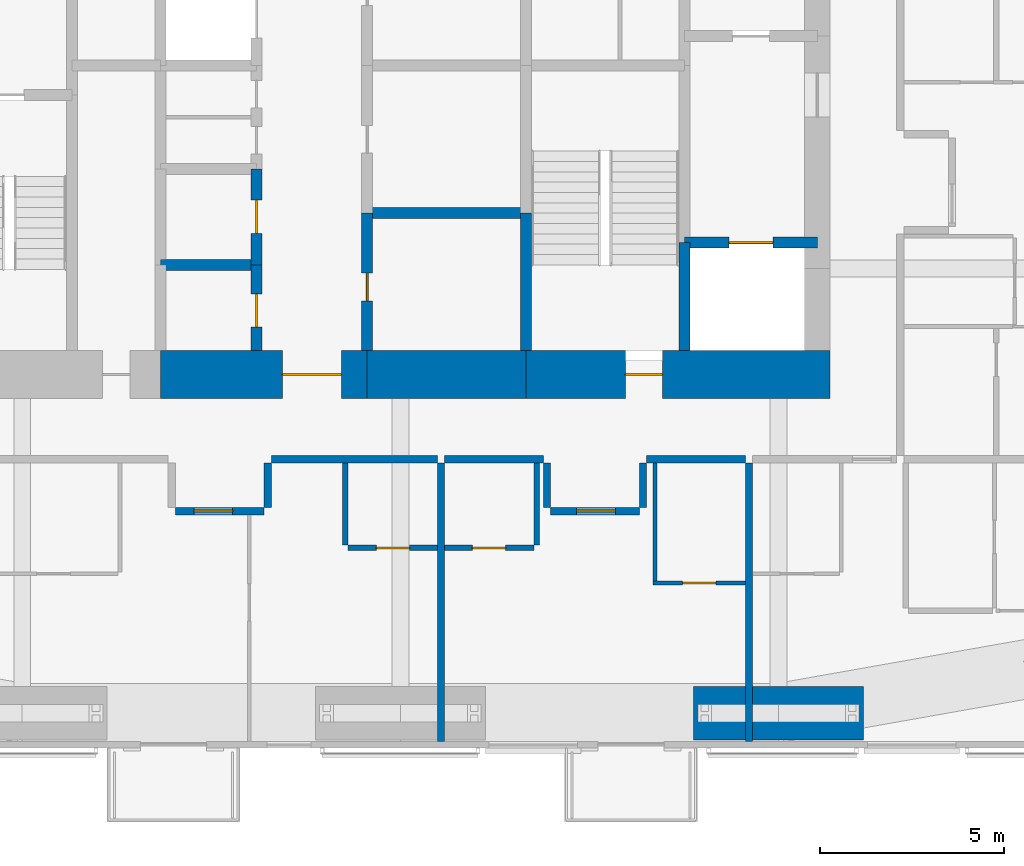
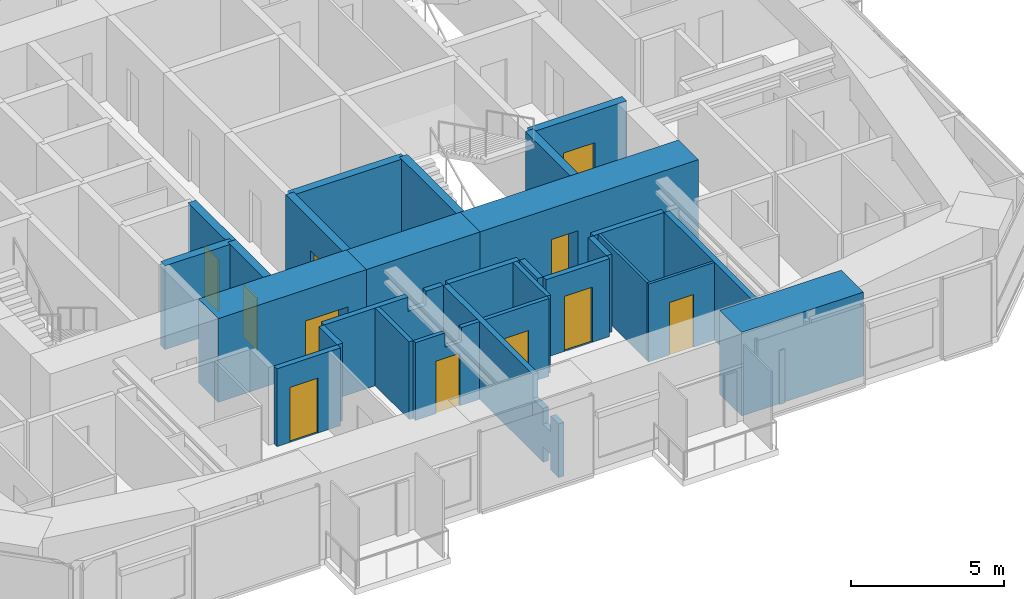
# One storey, part 16 of 23: 28 walls, 11 doors, 11 openings.
"""IFC4 building model written with IfcOpenShell, lengths in metres."""

from ifc_helpers import new_model, si_unit, direction, frame, frame_2d, origin, place, context, subcontext, project, spatial, polyline, rectangle, outline, extrude, material, layer, layer_set, constituent, constituent_set, type_object, element, fill, save


model = new_model("IFC4")

# Units and contexts
model_context = context("Model", 3, precision=1e-05, world=origin(), true_north=direction((0.0, 1.0)))
body_context = subcontext(model_context, "Body", "Model", "MODEL_VIEW")
ifc_project = project(units=[si_unit("LENGTHUNIT", "METRE"), si_unit("AREAUNIT", "SQUARE_METRE"), si_unit("VOLUMEUNIT", "CUBIC_METRE"), si_unit("PLANEANGLEUNIT", "RADIAN"), si_unit("MASSUNIT", "GRAM", prefix="KILO")], contexts=[model_context])

# Site, building, storey
site_placement = place(None, origin())
site = spatial("IfcSite", under=ifc_project, at=site_placement, CompositionType="ELEMENT")
building_placement = place(site_placement, origin())
building = spatial("IfcBuilding", under=site, at=building_placement, Name="Jalousie Tower", CompositionType="ELEMENT")
storey_placement = place(building_placement, frame((0.0, 0.0, 167.75)))
storey = spatial("IfcBuildingStorey", under=building, at=storey_placement, Name="L45", CompositionType="ELEMENT", Elevation=167.75)

# Wall, opening, door
ifc_material_1 = material(Name="Concrete block ASTM C90", Category="concrete")
ifc_constituent_1 = constituent(ifc_material_1, Name="Body")
ifc_material_2 = material(Name="Render")
ifc_constituent_2 = constituent(ifc_material_2, Name="Finish")
ifc_constituent_set_1 = constituent_set(constituents=[ifc_constituent_1, ifc_constituent_2])
wall_type_1 = type_object("IfcWallType", Name="BATHROOM WALL 150", PredefinedType="PLUMBINGWALL", material=ifc_constituent_set_1)
wall_1_placement = place(storey_placement, frame((31.074951171875, 5.425048828125, 0.0), z_axis=(0.0, 0.0, 1.0), x_axis=(1.0, 0.0, 0.0)))
wall_1 = element("IfcWall", 1, at=wall_1_placement, inside=storey, type_object=wall_type_1, Name="Bathroom Wall 150 L45", PredefinedType="PLUMBINGWALL", context=body_context, shape_type="SweptSolid", body=[
    extrude(outline(polyline([(0.0, 0.0), (2.425048828125, 0.0), (2.425048828125, 3.110107421875), (1.7373046875, 3.110107421875), (1.7373046875, 2.541015625), (1.112548828125, 2.541015625), (1.112548828125, 3.110107421875), (0.0, 3.110107421875), (0.0, 0.0)])), frame((0.0, 0.074951171875, 0.0), z_axis=(0.0, -1.0, 0.0), x_axis=(1.0, 0.0, 0.0)), (0.0, 0.0, 1.0), 0.14990234375),
])
opening_1_placement = place(wall_1_placement, frame((0.77490234375, 0.0, 0.0)))
opening_1 = element("IfcOpeningElement", 2, at=opening_1_placement, cuts=wall_1, Name="Opening D3", PredefinedType="OPENING", context=body_context, shape_type="SweptSolid", body=[
    extrude(rectangle(XDim=0.89990234375, YDim=2.10009765625, at=frame_2d((0.449951171875, 1.050048828125))), frame((0.0, 0.0849609375, 0.0), z_axis=(0.0, -1.0, 0.0), x_axis=(1.0, 0.0, 0.0)), (0.0, 0.0, 1.0), 0.169921875),
])
ifc_material_3 = material(Name="Timber door", Category="wood")
door_type_1 = type_object("IfcDoorType", Name="BATHROOM DOOR 900", OperationType="SINGLE_SWING_LEFT", PredefinedType="DOOR", material=ifc_material_3)
door_1_placement = place(opening_1_placement, origin())
door_1 = element("IfcDoor", 3, at=door_1_placement, inside=storey, type_object=door_type_1, Name="Apartment 4502 bathroom door", OperationType="SINGLE_SWING_RIGHT", OverallHeight=2.10009765625, OverallWidth=0.89990234375, PredefinedType="DOOR", context=body_context, shape_type="SweptSolid", body=[
    extrude(rectangle(XDim=0.89990234375, YDim=2.10009765625, at=frame_2d((0.449951171875, 1.050048828125))), frame((0.0, 0.02490234375, 0.0), z_axis=(0.0, -1.0, 0.0), x_axis=(1.0, 0.0, 0.0)), (0.0, 0.0, 1.0), 0.050048828125),
])
fill(opening_1, door_1)

# Wall
wall_2_placement = place(storey_placement, frame((31.0, 5.5, 0.0), z_axis=(0.0, 0.0, 1.0), x_axis=(0.0, 1.0, 0.0)))
element("IfcWall", 4, at=wall_2_placement, inside=storey, type_object=wall_type_1, Name="Bathroom Wall 150 L45", PredefinedType="PLUMBINGWALL", context=body_context, shape_type="SweptSolid", body=[
    extrude(rectangle(XDim=2.22509765625, YDim=0.14990234375, at=frame_2d((1.112548828125, 0.0))), origin(), (0.0, 0.0, 1.0), 3.110107421875),
])

# Wall, opening, door
wall_3_placement = place(storey_placement, frame((33.699951171875, 5.425048828125, 0.0), z_axis=(0.0, 0.0, 1.0), x_axis=(1.0, 0.0, 0.0)))
wall_3 = element("IfcWall", 5, at=wall_3_placement, inside=storey, type_object=wall_type_1, Name="Bathroom Wall 150 L45", PredefinedType="PLUMBINGWALL", context=body_context, shape_type="SweptSolid", body=[
    extrude(rectangle(XDim=2.425048828125, YDim=0.14990234375, at=frame_2d((1.21240234375, 0.0))), origin(), (0.0, 0.0, 1.0), 3.110107421875),
])
opening_2_placement = place(wall_3_placement, frame((0.75, 0.0, 0.0)))
opening_2 = element("IfcOpeningElement", 6, at=opening_2_placement, cuts=wall_3, Name="Opening D3", PredefinedType="OPENING", context=body_context, shape_type="SweptSolid", body=[
    extrude(rectangle(XDim=0.89990234375, YDim=2.10009765625, at=frame_2d((0.449951171875, 1.050048828125))), frame((0.0, 0.0849609375, 0.0), z_axis=(0.0, -1.0, 0.0), x_axis=(1.0, 0.0, 0.0)), (0.0, 0.0, 1.0), 0.169921875),
])
door_2_placement = place(opening_2_placement, origin())
door_2 = element("IfcDoor", 7, at=door_2_placement, inside=storey, type_object=door_type_1, Name="Apartment 4503 bathroom door", OperationType="SINGLE_SWING_LEFT", OverallHeight=2.10009765625, OverallWidth=0.89990234375, PredefinedType="DOOR", context=body_context, shape_type="SweptSolid", body=[
    extrude(rectangle(XDim=0.89990234375, YDim=2.10009765625, at=frame_2d((0.449951171875, 1.050048828125))), frame((0.0, 0.02490234375, 0.0), z_axis=(0.0, -1.0, 0.0), x_axis=(1.0, 0.0, 0.0)), (0.0, 0.0, 1.0), 0.050048828125),
])
fill(opening_2, door_2)

# Wall
wall_4_placement = place(storey_placement, frame((36.199951171875, 5.5, 0.0), z_axis=(0.0, 0.0, 1.0), x_axis=(0.0, 1.0, 0.0)))
element("IfcWall", 8, at=wall_4_placement, inside=storey, type_object=wall_type_1, Name="Bathroom Wall 150 L45", PredefinedType="PLUMBINGWALL", context=body_context, shape_type="SweptSolid", body=[
    extrude(rectangle(XDim=2.22509765625, YDim=0.14990234375, at=frame_2d((1.112548828125, 0.0))), origin(), (0.0, 0.0, 1.0), 3.110107421875),
])

# Wall, opening, door
ifc_material_4 = material(Name="Concrete f'c 120 MPa", Category="concrete")
ifc_layer_1 = layer(ifc_material_4, 1.300048828125)
ifc_layer_set_1 = layer_set([ifc_layer_1], Name="Concrete f'c 120 MPa")
wall_type_2 = type_object("IfcWallType", Name="CORE WALL 1300", PredefinedType="SHEAR", material=ifc_layer_set_1)
wall_5_placement = place(storey_placement, frame((26.0, 10.125, 0.0), z_axis=(0.0, 0.0, 1.0), x_axis=(1.0, 0.0, 0.0)))
wall_5 = element("IfcWall", 9, at=wall_5_placement, inside=storey, type_object=wall_type_2, Name="Core wall SB L45", PredefinedType="SHEAR", context=body_context, shape_type="SweptSolid", body=[
    extrude(rectangle(XDim=5.60009765625, YDim=1.300048828125, at=frame_2d((2.800048828125, 0.0))), origin(), (0.0, 0.0, 1.0), 3.35009765625),
])
opening_3_placement = place(wall_5_placement, frame((3.300048828125, 0.0, 0.0)))
opening_3 = element("IfcOpeningElement", 10, at=opening_3_placement, cuts=wall_5, Name="Opening D15", PredefinedType="OPENING", context=body_context, shape_type="SweptSolid", body=[
    extrude(rectangle(XDim=1.60009765625, YDim=2.10009765625, at=frame_2d((0.800048828125, 1.050048828125))), frame((0.0, 0.659912109375, 0.0), z_axis=(0.0, -1.0, 0.0), x_axis=(1.0, 0.0, 0.0)), (0.0, 0.0, 1.0), 1.320068359375),
])
ifc_material_5 = material(Name="Steel fire door", Category="steel")
door_type_2 = type_object("IfcDoorType", Name="LIFT LOBBY DOOR 1600", OperationType="DOUBLE_DOOR_SINGLE_SWING", PredefinedType="DOOR", material=ifc_material_5)
door_3_placement = place(opening_3_placement, origin())
door_3 = element("IfcDoor", 11, at=door_3_placement, inside=storey, type_object=door_type_2, Name="Lift lobby south door", OperationType="DOUBLE_DOOR_SINGLE_SWING", OverallHeight=2.10009765625, OverallWidth=1.60009765625, PredefinedType="DOOR", context=body_context, shape_type="SweptSolid", body=[
    extrude(rectangle(XDim=1.60009765625, YDim=2.10009765625, at=frame_2d((0.800048828125, 1.050048828125))), frame((0.0, 0.02490234375, 0.0), z_axis=(0.0, -1.0, 0.0), x_axis=(1.0, 0.0, 0.0)), (0.0, 0.0, 1.0), 0.050048828125),
])
fill(opening_3, door_3)

# Wall
wall_6_placement = place(storey_placement, frame((31.60009765625, 10.125, 0.0), z_axis=(0.0, 0.0, 1.0), x_axis=(1.0, 0.0, 0.0)))
element("IfcWall", 12, at=wall_6_placement, inside=storey, type_object=wall_type_2, Name="Core wall SC L45", PredefinedType="SHEAR", context=body_context, shape_type="SweptSolid", body=[
    extrude(rectangle(XDim=4.2998046875, YDim=1.300048828125, at=frame_2d((2.14990234375, 0.0))), origin(), (0.0, 0.0, 1.0), 3.35009765625),
])

# Wall, opening, door
wall_7_placement = place(storey_placement, frame((35.89990234375, 10.125, 0.0), z_axis=(0.0, 0.0, 1.0), x_axis=(1.0, 0.0, 0.0)))
wall_7 = element("IfcWall", 13, at=wall_7_placement, inside=storey, type_object=wall_type_2, Name="Core wall SD L45", PredefinedType="SHEAR", context=body_context, shape_type="SweptSolid", body=[
    extrude(rectangle(XDim=8.25, YDim=1.300048828125, at=frame_2d((4.125, 0.0))), origin(), (0.0, 0.0, 1.0), 3.35009765625),
])
opening_4_placement = place(wall_7_placement, frame((2.699951171875, 0.0, 0.0)))
opening_4 = element("IfcOpeningElement", 14, at=opening_4_placement, cuts=wall_7, Name="Opening D10", PredefinedType="OPENING", context=body_context, shape_type="SweptSolid", body=[
    extrude(rectangle(XDim=1.0, YDim=2.10009765625, at=frame_2d((0.5, 1.050048828125))), frame((0.0, 0.659912109375, 0.0), z_axis=(0.0, -1.0, 0.0), x_axis=(1.0, 0.0, 0.0)), (0.0, 0.0, 1.0), 1.320068359375),
])
ifc_material_6 = material(Name="Steel fire door", Category="steel")
door_type_3 = type_object("IfcDoorType", Name="STAIR DOOR 1000", OperationType="SINGLE_SWING_LEFT", PredefinedType="DOOR", material=ifc_material_6)
door_4_placement = place(opening_4_placement, origin())
door_4 = element("IfcDoor", 15, at=door_4_placement, inside=storey, type_object=door_type_3, Name="Exit stair C door", OperationType="SINGLE_SWING_RIGHT", OverallHeight=2.10009765625, OverallWidth=1.0, PredefinedType="DOOR", context=body_context, shape_type="SweptSolid", body=[
    extrude(rectangle(XDim=1.0, YDim=2.10009765625, at=frame_2d((0.5, 1.050048828125))), frame((0.0, 0.02490234375, 0.0), z_axis=(0.0, -1.0, 0.0), x_axis=(1.0, 0.0, 0.0)), (0.0, 0.0, 1.0), 0.050048828125),
])
fill(opening_4, door_4)

ifc_material_7 = material(Name="Concrete f'c 120 MPa", Category="concrete")
ifc_layer_2 = layer(ifc_material_7, 0.300048828125)
ifc_layer_set_2 = layer_set([ifc_layer_2], Name="Concrete f'c 120 MPa")
wall_type_3 = type_object("IfcWallType", Name="CORE WALL 300", PredefinedType="SHEAR", material=ifc_layer_set_2)
wall_8_placement = place(storey_placement, frame((28.60009765625, 10.77490234375, 0.0), z_axis=(0.0, 0.0, 1.0), x_axis=(0.0, 1.0, 0.0)))
wall_8 = element("IfcWall", 16, at=wall_8_placement, inside=storey, type_object=wall_type_3, Name="Core wall X28.6A L45", PredefinedType="SHEAR", context=body_context, shape_type="SweptSolid", body=[
    extrude(rectangle(XDim=2.3251953125, YDim=0.300048828125, at=frame_2d((1.16259765625, 0.0))), origin(), (0.0, 0.0, 1.0), 3.35009765625),
])
opening_5_placement = place(wall_8_placement, frame((0.637451171875, 0.0, 0.0)))
opening_5 = element("IfcOpeningElement", 17, at=opening_5_placement, cuts=wall_8, Name="Opening D24", PredefinedType="OPENING", context=body_context, shape_type="SweptSolid", body=[
    extrude(rectangle(XDim=0.89990234375, YDim=2.10009765625, at=frame_2d((0.449951171875, 1.050048828125))), frame((0.0, 0.159912109375, 0.0), z_axis=(0.0, -1.0, 0.0), x_axis=(1.0, 0.0, 0.0)), (0.0, 0.0, 1.0), 0.320068359375),
])
ifc_material_8 = material(Name="Steel fire door", Category="steel")
door_type_4 = type_object("IfcDoorType", Name="CORE ROOM DOOR 900", OperationType="SINGLE_SWING_LEFT", PredefinedType="DOOR", material=ifc_material_8)
door_5_placement = place(opening_5_placement, origin())
door_5 = element("IfcDoor", 18, at=door_5_placement, inside=storey, type_object=door_type_4, Name="Staff WC door", OperationType="SINGLE_SWING_RIGHT", OverallHeight=2.10009765625, OverallWidth=0.89990234375, PredefinedType="DOOR", context=body_context, shape_type="SweptSolid", body=[
    extrude(rectangle(XDim=0.89990234375, YDim=2.10009765625, at=frame_2d((0.449951171875, 1.050048828125))), frame((0.0, 0.02490234375, 0.0), z_axis=(0.0, -1.0, 0.0), x_axis=(1.0, 0.0, 0.0)), (0.0, 0.0, 1.0), 0.050048828125),
])
fill(opening_5, door_5)

wall_9_placement = place(storey_placement, frame((28.60009765625, 13.10009765625, 0.0), z_axis=(0.0, 0.0, 1.0), x_axis=(0.0, 1.0, 0.0)))
wall_9 = element("IfcWall", 19, at=wall_9_placement, inside=storey, type_object=wall_type_3, Name="Core wall X28.6B L45", PredefinedType="SHEAR", context=body_context, shape_type="SweptSolid", body=[
    extrude(rectangle(XDim=2.599853515625, YDim=0.300048828125, at=frame_2d((1.2998046875, 0.0))), origin(), (0.0, 0.0, 1.0), 3.35009765625),
])
opening_6_placement = place(wall_9_placement, frame((0.85009765625, 0.0, 0.0)))
opening_6 = element("IfcOpeningElement", 20, at=opening_6_placement, cuts=wall_9, Name="Opening D24", PredefinedType="OPENING", context=body_context, shape_type="SweptSolid", body=[
    extrude(rectangle(XDim=0.89990234375, YDim=2.10009765625, at=frame_2d((0.449951171875, 1.050048828125))), frame((0.0, 0.159912109375, 0.0), z_axis=(0.0, -1.0, 0.0), x_axis=(1.0, 0.0, 0.0)), (0.0, 0.0, 1.0), 0.320068359375),
])
door_6_placement = place(opening_6_placement, origin())
door_6 = element("IfcDoor", 21, at=door_6_placement, inside=storey, type_object=door_type_4, Name="Pantry door", OperationType="SINGLE_SWING_RIGHT", OverallHeight=2.10009765625, OverallWidth=0.89990234375, PredefinedType="DOOR", context=body_context, shape_type="SweptSolid", body=[
    extrude(rectangle(XDim=0.89990234375, YDim=2.10009765625, at=frame_2d((0.449951171875, 1.050048828125))), frame((0.0, 0.02490234375, 0.0), z_axis=(0.0, -1.0, 0.0), x_axis=(1.0, 0.0, 0.0)), (0.0, 0.0, 1.0), 0.050048828125),
])
fill(opening_6, door_6)

wall_10_placement = place(storey_placement, frame((31.60009765625, 10.77490234375, 0.0), z_axis=(0.0, 0.0, 1.0), x_axis=(0.0, 1.0, 0.0)))
wall_10 = element("IfcWall", 22, at=wall_10_placement, inside=storey, type_object=wall_type_3, Name="Core wall X31.6A L45", PredefinedType="SHEAR", context=body_context, shape_type="SweptSolid", body=[
    extrude(rectangle(XDim=3.72509765625, YDim=0.300048828125, at=frame_2d((1.862548828125, 0.0))), origin(), (0.0, 0.0, 1.0), 3.35009765625),
])
opening_7_placement = place(wall_10_placement, frame((1.35009765625, 0.0, 0.0)))
opening_7 = element("IfcOpeningElement", 23, at=opening_7_placement, cuts=wall_10, Name="Opening D16", PredefinedType="OPENING", context=body_context, shape_type="SweptSolid", body=[
    extrude(rectangle(XDim=0.75, YDim=2.10009765625, at=frame_2d((0.375, 1.050048828125))), frame((0.0, 0.159912109375, 0.0), z_axis=(0.0, -1.0, 0.0), x_axis=(1.0, 0.0, 0.0)), (0.0, 0.0, 1.0), 0.320068359375),
])
ifc_material_9 = material(Name="Steel fire door", Category="steel")
door_type_5 = type_object("IfcDoorType", Name="RISER DOOR 750", OperationType="SINGLE_SWING_LEFT", PredefinedType="DOOR", material=ifc_material_9)
door_7_placement = place(opening_7_placement, frame((0.75, 0.0, 0.0), z_axis=(0.0, 0.0, 1.0), x_axis=(-1.0, 0.0, 0.0)))
door_7 = element("IfcDoor", 24, at=door_7_placement, inside=storey, type_object=door_type_5, Name="Refuse Room door", OperationType="SINGLE_SWING_RIGHT", OverallHeight=2.10009765625, OverallWidth=0.75, PredefinedType="DOOR", context=body_context, shape_type="SweptSolid", body=[
    extrude(rectangle(XDim=0.75, YDim=2.10009765625, at=frame_2d((0.375, 1.050048828125))), frame((0.0, 0.02490234375, 0.0), z_axis=(0.0, -1.0, 0.0), x_axis=(1.0, 0.0, 0.0)), (0.0, 0.0, 1.0), 0.050048828125),
])
fill(opening_7, door_7)

# Walls
wall_11_placement = place(storey_placement, frame((35.89990234375, 10.77490234375, 0.0), z_axis=(0.0, 0.0, 1.0), x_axis=(0.0, 1.0, 0.0)))
element("IfcWall", 25, at=wall_11_placement, inside=storey, type_object=wall_type_3, Name="Core wall X35.9A L45", PredefinedType="SHEAR", context=body_context, shape_type="SweptSolid", body=[
    extrude(rectangle(XDim=3.72509765625, YDim=0.300048828125, at=frame_2d((1.862548828125, 0.0))), origin(), (0.0, 0.0, 1.0), 3.35009765625),
])
wall_12_placement = place(storey_placement, frame((40.199951171875, 10.77490234375, 0.0), z_axis=(0.0, 0.0, 1.0), x_axis=(0.0, 1.0, 0.0)))
element("IfcWall", 26, at=wall_12_placement, inside=storey, type_object=wall_type_3, Name="Core wall X40.2A L45", PredefinedType="SHEAR", context=body_context, shape_type="SweptSolid", body=[
    extrude(rectangle(XDim=2.925048828125, YDim=0.300048828125, at=frame_2d((1.46240234375, 0.0))), origin(), (0.0, 0.0, 1.0), 3.35009765625),
])
wall_13_placement = place(storey_placement, frame((26.0, 13.10009765625, 0.0), z_axis=(0.0, 0.0, 1.0), x_axis=(1.0, 0.0, 0.0)))
element("IfcWall", 27, at=wall_13_placement, inside=storey, type_object=wall_type_3, Name="Core wall Y26-13.1 L45", PredefinedType="SHEAR", context=body_context, shape_type="SweptSolid", body=[
    extrude(rectangle(XDim=2.60009765625, YDim=0.300048828125, at=frame_2d((1.300048828125, 0.0))), origin(), (0.0, 0.0, 1.0), 3.35009765625),
])
wall_14_placement = place(storey_placement, frame((31.60009765625, 14.5, 0.0), z_axis=(0.0, 0.0, 1.0), x_axis=(1.0, 0.0, 0.0)))
element("IfcWall", 28, at=wall_14_placement, inside=storey, type_object=wall_type_3, Name="Core wall Y31.6-14.5 L45", PredefinedType="SHEAR", context=body_context, shape_type="SweptSolid", body=[
    extrude(rectangle(XDim=4.2998046875, YDim=0.300048828125, at=frame_2d((2.14990234375, 0.0))), origin(), (0.0, 0.0, 1.0), 3.35009765625),
])

# Wall, opening, door
wall_15_placement = place(storey_placement, frame((40.199951171875, 13.699951171875, 0.0), z_axis=(0.0, 0.0, 1.0), x_axis=(1.0, 0.0, 0.0)))
wall_15 = element("IfcWall", 29, at=wall_15_placement, inside=storey, type_object=wall_type_3, Name="Core wall Y40.2-13.7 L45", PredefinedType="SHEAR", context=body_context, shape_type="SweptSolid", body=[
    extrude(rectangle(XDim=3.60009765625, YDim=0.300048828125, at=frame_2d((1.800048828125, 0.0))), origin(), (0.0, 0.0, 1.0), 3.35009765625),
])
opening_8_placement = place(wall_15_placement, frame((1.199951171875, 0.0, 0.0)))
opening_8 = element("IfcOpeningElement", 30, at=opening_8_placement, cuts=wall_15, Name="Opening LD2", PredefinedType="OPENING", context=body_context, shape_type="SweptSolid", body=[
    extrude(rectangle(XDim=1.199951171875, YDim=2.10009765625, at=frame_2d((0.60009765625, 1.050048828125))), frame((0.0, 0.159912109375, 0.0), z_axis=(0.0, -1.0, 0.0), x_axis=(1.0, 0.0, 0.0)), (0.0, 0.0, 1.0), 0.320068359375),
])
ifc_material_10 = material(Name="Steel lift landing door", Category="steel")
door_type_6 = type_object("IfcDoorType", Name="LIFT LANDING DOOR 1200", OperationType="SLIDING_TO_LEFT", PredefinedType="DOOR", material=ifc_material_10)
door_8_placement = place(opening_8_placement, origin())
door_8 = element("IfcDoor", 31, at=door_8_placement, inside=storey, type_object=door_type_6, Name="Lift F2 landing door", OperationType="SLIDING_TO_LEFT", OverallHeight=2.10009765625, OverallWidth=1.199951171875, PredefinedType="DOOR", context=body_context, shape_type="SweptSolid", body=[
    extrude(rectangle(XDim=1.199951171875, YDim=2.10009765625, at=frame_2d((0.60009765625, 1.050048828125))), frame((0.0, 0.02490234375, 0.0), z_axis=(0.0, -1.0, 0.0), x_axis=(1.0, 0.0, 0.0)), (0.0, 0.0, 1.0), 0.050048828125),
])
fill(opening_8, door_8)

# Walls
ifc_material_11 = material(Name="Concrete block ASTM C90", Category="concrete")
ifc_constituent_3 = constituent(ifc_material_11, Name="Body")
ifc_material_12 = material(Name="Render")
ifc_constituent_4 = constituent(ifc_material_12, Name="Finish")
ifc_constituent_set_2 = constituent_set(constituents=[ifc_constituent_3, ifc_constituent_4])
wall_type_4 = type_object("IfcWallType", Name="CORRIDOR WALL 200", PredefinedType="PARTITIONING", material=ifc_constituent_set_2)
wall_16_placement = place(storey_placement, frame((33.699951171875, 7.824951171875, 0.0), z_axis=(0.0, 0.0, 1.0), x_axis=(1.0, 0.0, 0.0)))
element("IfcWall", 32, at=wall_16_placement, inside=storey, type_object=wall_type_4, Name="Corridor Wall 200 L45", PredefinedType="PARTITIONING", context=body_context, shape_type="SweptSolid", body=[
    extrude(rectangle(XDim=2.675048828125, YDim=0.199951171875, at=frame_2d((1.33740234375, 0.0))), origin(), (0.0, 0.0, 1.0), 3.110107421875),
])
wall_17_placement = place(storey_placement, frame((29.0, 7.824951171875, 0.0), z_axis=(0.0, 0.0, 1.0), x_axis=(1.0, 0.0, 0.0)))
element("IfcWall", 33, at=wall_17_placement, inside=storey, type_object=wall_type_4, Name="Corridor Wall 200 L45", PredefinedType="PARTITIONING", context=body_context, shape_type="SweptSolid", body=[
    extrude(outline(polyline([(0.0, 0.0), (4.5, 0.0), (4.5, 3.110107421875), (3.83740234375, 3.110107421875), (3.83740234375, 2.541015625), (3.16259765625, 2.541015625), (3.16259765625, 3.110107421875), (0.0, 3.110107421875), (0.0, 0.0)])), frame((0.0, 0.10009765625, 0.0), z_axis=(0.0, -1.0, 0.0), x_axis=(1.0, 0.0, 0.0)), (0.0, 0.0, 1.0), 0.199951171875),
])

# Wall, opening, door
wall_18_placement = place(storey_placement, frame((26.39990234375, 6.425048828125, 0.0), z_axis=(0.0, 0.0, 1.0), x_axis=(1.0, 0.0, 0.0)))
wall_18 = element("IfcWall", 34, at=wall_18_placement, inside=storey, type_object=wall_type_4, Name="Corridor Wall 200 L45", PredefinedType="PARTITIONING", context=body_context, shape_type="SweptSolid", body=[
    extrude(rectangle(XDim=2.400146484375, YDim=0.199951171875, at=frame_2d((1.2001953125, 0.0))), origin(), (0.0, 0.0, 1.0), 3.110107421875),
])
opening_9_placement = place(wall_18_placement, frame((0.5, 0.0, 0.0)))
opening_9 = element("IfcOpeningElement", 35, at=opening_9_placement, cuts=wall_18, Name="Opening D1", PredefinedType="OPENING", context=body_context, shape_type="SweptSolid", body=[
    extrude(rectangle(XDim=1.050048828125, YDim=2.199951171875, at=frame_2d((0.52490234375, 1.10009765625))), frame((0.0, 0.10986328125, 0.0), z_axis=(0.0, -1.0, 0.0), x_axis=(1.0, 0.0, 0.0)), (0.0, 0.0, 1.0), 0.219970703125),
])
ifc_material_13 = material(Name="Timber fire door", Category="wood")
door_type_7 = type_object("IfcDoorType", Name="APARTMENT ENTRANCE DOOR 1050", OperationType="SINGLE_SWING_LEFT", PredefinedType="DOOR", material=ifc_material_13)
door_9_placement = place(opening_9_placement, frame((1.050048828125, 0.0, 0.0), z_axis=(0.0, 0.0, 1.0), x_axis=(-1.0, 0.0, 0.0)))
door_9 = element("IfcDoor", 36, at=door_9_placement, inside=storey, type_object=door_type_7, Name="Apartment 4502 entrance", OperationType="SINGLE_SWING_LEFT", OverallHeight=2.199951171875, OverallWidth=1.050048828125, PredefinedType="DOOR", context=body_context, shape_type="SweptSolid", body=[
    extrude(rectangle(XDim=1.050048828125, YDim=2.199951171875, at=frame_2d((0.52490234375, 1.10009765625))), frame((0.0, 0.02490234375, 0.0), z_axis=(0.0, -1.0, 0.0), x_axis=(1.0, 0.0, 0.0)), (0.0, 0.0, 1.0), 0.050048828125),
])
fill(opening_9, door_9)

# Walls
wall_19_placement = place(storey_placement, frame((28.89990234375, 7.72509765625, 0.0), z_axis=(0.0, 0.0, 1.0), x_axis=(0.0, -1.0, 0.0)))
element("IfcWall", 37, at=wall_19_placement, inside=storey, type_object=wall_type_4, Name="Corridor Wall 200 L45", PredefinedType="PARTITIONING", context=body_context, shape_type="SweptSolid", body=[
    extrude(rectangle(XDim=1.2001953125, YDim=0.199951171875, at=frame_2d((0.60009765625, 0.0))), origin(), (0.0, 0.0, 1.0), 3.110107421875),
])
wall_20_placement = place(storey_placement, frame((39.175048828125, 7.824951171875, 0.0), z_axis=(0.0, 0.0, 1.0), x_axis=(1.0, 0.0, 0.0)))
element("IfcWall", 38, at=wall_20_placement, inside=storey, type_object=wall_type_4, Name="Corridor Wall 200 L45", PredefinedType="PARTITIONING", context=body_context, shape_type="SweptSolid", body=[
    extrude(rectangle(XDim=2.675048828125, YDim=0.199951171875, at=frame_2d((1.33740234375, 0.0))), origin(), (0.0, 0.0, 1.0), 3.110107421875),
])

# Wall, opening, door
wall_21_placement = place(storey_placement, frame((36.574951171875, 6.425048828125, 0.0), z_axis=(0.0, 0.0, 1.0), x_axis=(1.0, 0.0, 0.0)))
wall_21 = element("IfcWall", 39, at=wall_21_placement, inside=storey, type_object=wall_type_4, Name="Corridor Wall 200 L45", PredefinedType="PARTITIONING", context=body_context, shape_type="SweptSolid", body=[
    extrude(rectangle(XDim=2.400146484375, YDim=0.199951171875, at=frame_2d((1.2001953125, 0.0))), origin(), (0.0, 0.0, 1.0), 3.110107421875),
])
opening_10_placement = place(wall_21_placement, frame((0.699951171875, 0.0, 0.0)))
opening_10 = element("IfcOpeningElement", 40, at=opening_10_placement, cuts=wall_21, Name="Opening D1", PredefinedType="OPENING", context=body_context, shape_type="SweptSolid", body=[
    extrude(rectangle(XDim=1.050048828125, YDim=2.199951171875, at=frame_2d((0.52490234375, 1.10009765625))), frame((0.0, 0.10986328125, 0.0), z_axis=(0.0, -1.0, 0.0), x_axis=(1.0, 0.0, 0.0)), (0.0, 0.0, 1.0), 0.219970703125),
])
door_10_placement = place(opening_10_placement, frame((1.050048828125, 0.0, 0.0), z_axis=(0.0, 0.0, 1.0), x_axis=(-1.0, 0.0, 0.0)))
door_10 = element("IfcDoor", 41, at=door_10_placement, inside=storey, type_object=door_type_7, Name="Apartment 4503 entrance", OperationType="SINGLE_SWING_RIGHT", OverallHeight=2.199951171875, OverallWidth=1.050048828125, PredefinedType="DOOR", context=body_context, shape_type="SweptSolid", body=[
    extrude(rectangle(XDim=1.050048828125, YDim=2.199951171875, at=frame_2d((0.52490234375, 1.10009765625))), frame((0.0, 0.02490234375, 0.0), z_axis=(0.0, -1.0, 0.0), x_axis=(1.0, 0.0, 0.0)), (0.0, 0.0, 1.0), 0.050048828125),
])
fill(opening_10, door_10)

# Walls
for number, where, z_axis, x_axis, name in (
    (42, (36.47509765625, 7.72509765625, 0.0), (0.0, 0.0, 1.0), (0.0, -1.0, 0.0), "Corridor Wall 200 L45"),
    (43, (39.074951171875, 7.72509765625, 0.0), (0.0, 0.0, 1.0), (0.0, -1.0, 0.0), "Corridor Wall 200 L45"),
):
    element("IfcWall", number, at=place(storey_placement, frame(where, z_axis=z_axis, x_axis=x_axis)), inside=storey, type_object=wall_type_4, Name=name, PredefinedType="PARTITIONING", context=body_context, shape_type="SweptSolid", body=[
        extrude(rectangle(XDim=1.2001953125, YDim=0.199951171875, at=frame_2d((0.60009765625, 0.0))), origin(), (0.0, 0.0, 1.0), 3.110107421875),
    ])

# Wall, opening, door
ifc_material_14 = material(Name="Gypsum board", Category="gypsum")
ifc_constituent_5 = constituent(ifc_material_14, Name="Body")
ifc_material_15 = material(Name="Light-gauge steel studs ASTM A653 SS Grade 33", Category="steel")
ifc_constituent_6 = constituent(ifc_material_15, Name="Framing")
ifc_constituent_set_3 = constituent_set(constituents=[ifc_constituent_5, ifc_constituent_6])
wall_type_5 = type_object("IfcWallType", Name="PARTITION 100", PredefinedType="PARTITIONING", material=ifc_constituent_set_3)
wall_22_placement = place(storey_placement, frame((41.85009765625, 4.47509765625, 0.0), z_axis=(0.0, 0.0, 1.0), x_axis=(-1.0, 0.0, 0.0)))
wall_22 = element("IfcWall", 44, at=wall_22_placement, inside=storey, type_object=wall_type_5, Name="Partition 100 L45", PredefinedType="PARTITIONING", context=body_context, shape_type="SweptSolid", body=[
    extrude(rectangle(XDim=2.5, YDim=0.10009765625, at=frame_2d((1.25, 0.0))), origin(), (0.0, 0.0, 1.0), 3.110107421875),
])
opening_11_placement = place(wall_22_placement, frame((0.800048828125, 0.0, 0.0)))
opening_11 = element("IfcOpeningElement", 45, at=opening_11_placement, cuts=wall_22, Name="Opening D7", PredefinedType="OPENING", context=body_context, shape_type="SweptSolid", body=[
    extrude(rectangle(XDim=0.89990234375, YDim=2.10009765625, at=frame_2d((0.449951171875, 1.050048828125))), frame((0.0, 0.06005859375, 0.0), z_axis=(0.0, -1.0, 0.0), x_axis=(1.0, 0.0, 0.0)), (0.0, 0.0, 1.0), 0.1201171875),
])
ifc_material_16 = material(Name="Timber door", Category="wood")
door_type_8 = type_object("IfcDoorType", Name="INTERNAL DOOR 900", OperationType="SINGLE_SWING_LEFT", PredefinedType="DOOR", material=ifc_material_16)
door_11_placement = place(opening_11_placement, frame((0.89990234375, 0.0, 0.0), z_axis=(0.0, 0.0, 1.0), x_axis=(-1.0, 0.0, 0.0)))
door_11 = element("IfcDoor", 46, at=door_11_placement, inside=storey, type_object=door_type_8, Name="Apartment 4503 kitchen door", OperationType="SINGLE_SWING_LEFT", OverallHeight=2.10009765625, OverallWidth=0.89990234375, PredefinedType="DOOR", context=body_context, shape_type="SweptSolid", body=[
    extrude(rectangle(XDim=0.89990234375, YDim=2.10009765625, at=frame_2d((0.449951171875, 1.050048828125))), frame((0.0, 0.02490234375, 0.0), z_axis=(0.0, -1.0, 0.0), x_axis=(1.0, 0.0, 0.0)), (0.0, 0.0, 1.0), 0.050048828125),
])
fill(opening_11, door_11)

# Walls
wall_23_placement = place(storey_placement, frame((39.39990234375, 7.72509765625, 0.0), z_axis=(0.0, 0.0, 1.0), x_axis=(0.0, -1.0, 0.0)))
element("IfcWall", 47, at=wall_23_placement, inside=storey, type_object=wall_type_5, Name="Partition 100 L45", PredefinedType="PARTITIONING", context=body_context, shape_type="SweptSolid", body=[
    extrude(rectangle(XDim=3.2001953125, YDim=0.10009765625, at=frame_2d((1.60009765625, 0.0))), origin(), (0.0, 0.0, 1.0), 3.110107421875),
])
ifc_material_17 = material(Name="Concrete block ASTM C90", Category="concrete")
ifc_constituent_7 = constituent(ifc_material_17, Name="Body")
ifc_material_18 = material(Name="Render")
ifc_constituent_8 = constituent(ifc_material_18, Name="Finish")
ifc_constituent_set_4 = constituent_set(constituents=[ifc_constituent_7, ifc_constituent_8])
wall_type_6 = type_object("IfcWallType", Name="PARTY WALL 200", PredefinedType="PARTITIONING", material=ifc_constituent_set_4)
wall_24_placement = place(storey_placement, frame((33.60009765625, 0.175048828125, 0.0), z_axis=(0.0, 0.0, 1.0), x_axis=(0.0, 1.0, 0.0)))
element("IfcWall", 48, at=wall_24_placement, inside=storey, type_object=wall_type_6, Name="Party Wall 200 L45", PredefinedType="PARTITIONING", context=body_context, shape_type="SweptSolid", body=[
    extrude(outline(polyline([(0.52880859375, 2.14990234375), (0.0, 2.14990234375), (0.0, 0.0), (0.52880859375, 0.0), (0.52880859375, 0.625244140625), (1.021240234375, 0.625244140625), (1.021240234375, 0.0), (7.550048828125, 0.0), (7.550048828125, 3.110107421875), (1.68505859375, 3.110107421875), (1.68505859375, 2.14990234375), (1.021240234375, 2.14990234375), (1.021240234375, 1.52490234375), (0.52880859375, 1.52490234375), (0.52880859375, 2.14990234375)])), frame((0.0, 0.10009765625, 0.0), z_axis=(0.0, -1.0, 0.0), x_axis=(1.0, 0.0, 0.0)), (0.0, 0.0, 1.0), 0.199951171875),
])
wall_25_placement = place(storey_placement, frame((41.949951171875, 0.175048828125, 0.0), z_axis=(0.0, 0.0, 1.0), x_axis=(0.0, 1.0, 0.0)))
element("IfcWall", 49, at=wall_25_placement, inside=storey, type_object=wall_type_6, Name="Party Wall 200 L45", PredefinedType="PARTITIONING", context=body_context, shape_type="SweptSolid", body=[
    extrude(outline(polyline([(0.52880859375, 2.14990234375), (0.0, 2.14990234375), (0.0, 0.0), (0.52880859375, 0.0), (0.52880859375, 0.87646484375), (1.021240234375, 0.87646484375), (1.021240234375, 0.0), (7.550048828125, 0.0), (7.550048828125, 3.110107421875), (1.68505859375, 3.110107421875), (1.68505859375, 2.14990234375), (1.021240234375, 2.14990234375), (1.021240234375, 1.273681640625), (0.52880859375, 1.273681640625), (0.52880859375, 2.14990234375)])), frame((0.0, 0.10009765625, 0.0), z_axis=(0.0, -1.0, 0.0), x_axis=(1.0, 0.0, 0.0)), (0.0, 0.0, 1.0), 0.199951171875),
])
ifc_material_19 = material(Name="Concrete f'c 120 MPa", Category="concrete")
ifc_layer_3 = layer(ifc_material_19, 1.449951171875)
ifc_layer_set_3 = layer_set([ifc_layer_3], Name="Concrete f'c 120 MPa")
wall_type_7 = type_object("IfcWallType", Name="RC WALL PIER 1450", PredefinedType="SHEAR", material=ifc_layer_set_3)
wall_26_placement = place(storey_placement, frame((40.449951171875, 0.949951171875, 0.0), z_axis=(0.0, 0.0, 1.0), x_axis=(1.0, 0.0, 0.0)))
element("IfcWall", 50, at=wall_26_placement, inside=storey, type_object=wall_type_7, Name="Wall pier 04 L45", PredefinedType="SHEAR", context=body_context, shape_type="SweptSolid", body=[
    extrude(rectangle(XDim=4.60009765625, YDim=1.449951171875, at=frame_2d((2.300048828125, 0.0))), origin(), (0.0, 0.0, 1.0), 3.35009765625),
])

save(model, "model.ifc")
